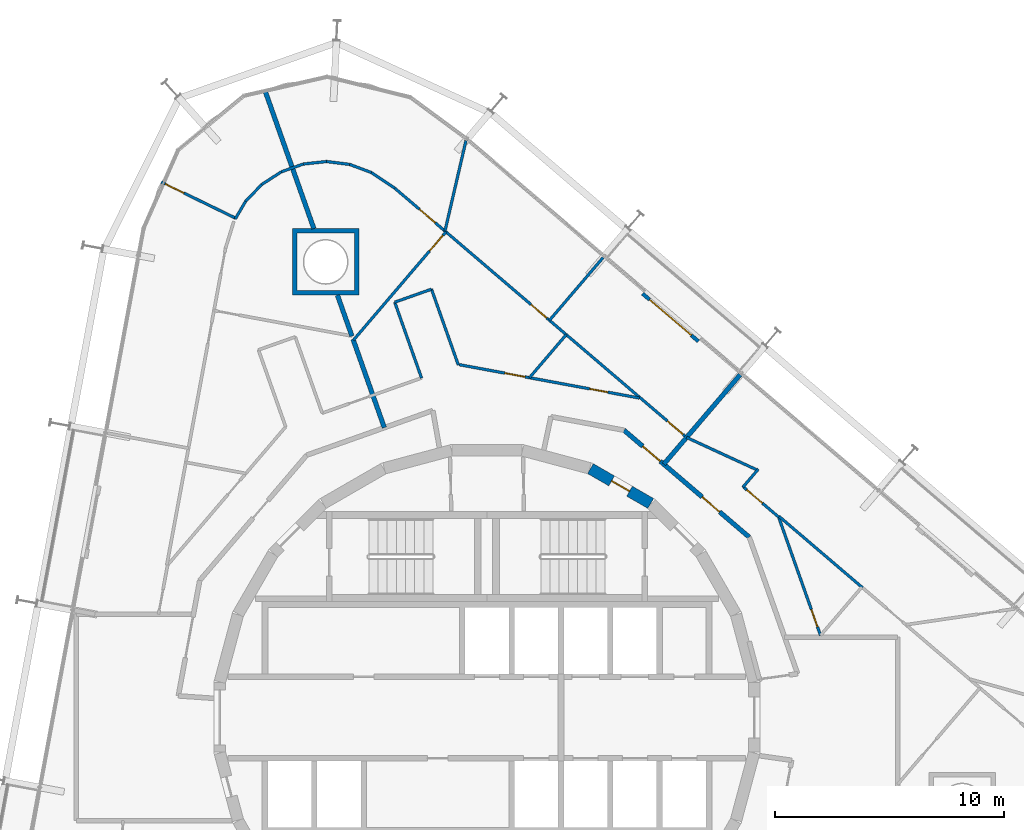
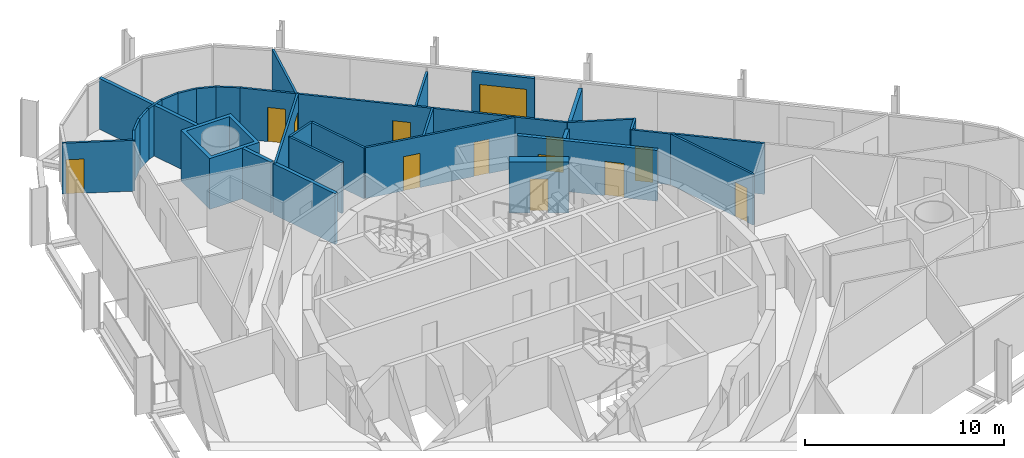
# One storey, part 15 of 17: 31 walls, 13 doors, 13 openings.
"""IFC4 building model written with IfcOpenShell, lengths in metres."""

import ifcopenshell
import ifcopenshell.guid

model = None  # the IFC model being written
_history = None  # IfcOwnerHistory: only IFC2X3 demands one
_inside = {}  # id of a spatial element -> (the spatial element, [elements in it])
_under = {}  # id of a project, library or spatial element -> (it, [spatial elements below it])
_declared = {}  # id of a project -> (the project, [libraries it declares])
_typed = {}  # id of a type object -> (the type object, [elements of that type])
_made_of = {}  # id of a material, layer set ... -> (it, [elements and type objects made of it])


def new_model(schema):
    """Start an empty IFC model of exactly this schema.

    Asked for "IFC4X3", IfcOpenShell would pick the latest addendum, in which some entities
    have other attributes; the version numbers below select the first issue.
    IFC2X3 requires an IfcOwnerHistory on every rooted entity: one is made here for all.
    """
    global model, _history
    if schema == "IFC4X3":
        model = ifcopenshell.file(schema_version=(4, 3, 0, 0))
    else:
        model = ifcopenshell.file(schema=schema)
    _inside.clear()
    _under.clear()
    _declared.clear()
    _typed.clear()
    _made_of.clear()
    _history = None
    if model.schema == "IFC2X3":
        org = make("IfcOrganization", Name="unknown")
        user = make(
            "IfcPersonAndOrganization",
            ThePerson=make("IfcPerson", FamilyName="unknown"),
            TheOrganization=org,
        )
        app = make(
            "IfcApplication",
            ApplicationDeveloper=org,
            Version="unknown",
            ApplicationFullName="unknown",
            ApplicationIdentifier="unknown",
        )
        _history = make(
            "IfcOwnerHistory",
            OwningUser=user,
            OwningApplication=app,
            ChangeAction="ADDED",
            CreationDate=0,
        )
    return model


def make(cls, **values):
    """One entity of the class cls with the attributes given. An attribute that is None is left unset."""
    return model.create_entity(
        cls, **{name: value for name, value in values.items() if value is not None}
    )


def rooted(cls, **values):
    """An entity with a GlobalId (a new one), such as an element, a storey or a relation."""
    return make(cls, GlobalId=ifcopenshell.guid.new(), OwnerHistory=_history, **values)


def si_unit(unit_type, name, prefix=None):
    """IfcSIUnit, for example si_unit("LENGTHUNIT", "METRE", prefix="MILLI")."""
    return make("IfcSIUnit", UnitType=unit_type, Prefix=prefix, Name=name)


def assignment(units):
    """IfcUnitAssignment: the units of a project."""
    return None if units is None else make("IfcUnitAssignment", Units=units)


def point(xyz):
    """IfcCartesianPoint."""
    return None if xyz is None else make("IfcCartesianPoint", Coordinates=xyz)


def direction(xyz):
    """IfcDirection."""
    return None if xyz is None else make("IfcDirection", DirectionRatios=xyz)


def frame(location, z_axis=None, x_axis=None):
    """IfcAxis2Placement3D, a coordinate frame: its origin and axes. An axis left out is left unset."""
    return make(
        "IfcAxis2Placement3D",
        Location=point(location),
        Axis=direction(z_axis),
        RefDirection=direction(x_axis),
    )


def frame_2d(location, x_axis=None):
    """IfcAxis2Placement2D, a coordinate frame in the plane: its origin and x axis."""
    return make(
        "IfcAxis2Placement2D", Location=point(location), RefDirection=direction(x_axis)
    )


def origin():
    """The frame at (0, 0, 0) with its axes left unset."""
    return frame((0.0, 0.0, 0.0))


def place(relative_to, where):
    """IfcLocalPlacement: puts the frame where relative to a parent placement (None: the world)."""
    return make(
        "IfcLocalPlacement", PlacementRelTo=relative_to, RelativePlacement=where
    )


def context(
    kind, dimensions, precision=None, world=None, true_north=None, identifier=None
):
    """IfcGeometricRepresentationContext, for example the 3D "Model" context."""
    return make(
        "IfcGeometricRepresentationContext",
        ContextIdentifier=identifier,
        ContextType=kind,
        CoordinateSpaceDimension=dimensions,
        Precision=precision,
        WorldCoordinateSystem=world,
        TrueNorth=true_north,
    )


def subcontext(parent, identifier, kind, view, scale=None):
    """IfcGeometricRepresentationSubContext, for example "Body" below "Model"."""
    return make(
        "IfcGeometricRepresentationSubContext",
        ContextIdentifier=identifier,
        ContextType=kind,
        ParentContext=parent,
        TargetScale=scale,
        TargetView=view,
    )


def project(units=None, contexts=None):
    """IfcProject with its units and contexts."""
    return rooted(
        "IfcProject",
        Name="project",
        RepresentationContexts=contexts,
        UnitsInContext=assignment(units),
    )


def spatial(cls, under=None, at=None, **own):
    """A site, building, storey or space (cls), placed at a placement, below another one or the project."""
    s = rooted(cls, ObjectPlacement=at, **own)
    if under is not None:
        _under.setdefault(under.id(), (under, []))[1].append(s)
    return s


def polyline(points):
    """IfcPolyline through the points."""
    return make("IfcPolyline", Points=[point(p) for p in points])


def profile(cls, at=None, kind="AREA", **sizes):
    """A parametric profile (cls). Its sizes go by their IFC names, for example OverallWidth=200.0."""
    return make(cls, ProfileType=kind, Position=at, **sizes)


def rectangle(**sizes):
    """IfcRectangleProfileDef."""
    return profile("IfcRectangleProfileDef", **sizes)


def outline(outer, holes=None, kind="AREA"):
    """IfcArbitraryClosedProfileDef: a profile drawn as a closed curve; with holes, ...WithVoids."""
    if holes is None:
        return make("IfcArbitraryClosedProfileDef", ProfileType=kind, OuterCurve=outer)
    return make(
        "IfcArbitraryProfileDefWithVoids",
        ProfileType=kind,
        OuterCurve=outer,
        InnerCurves=holes,
    )


def extrude(swept, where, along, depth):
    """IfcExtrudedAreaSolid: the profile swept, set in the frame where, extruded along a direction by depth."""
    return make(
        "IfcExtrudedAreaSolid",
        SweptArea=swept,
        Position=where,
        ExtrudedDirection=direction(along),
        Depth=depth,
    )


def shape(context_of_items, identifier, shape_type, items):
    """IfcShapeRepresentation: the items that make up one representation, for example the "Body"."""
    return make(
        "IfcShapeRepresentation",
        ContextOfItems=context_of_items,
        RepresentationIdentifier=identifier,
        RepresentationType=shape_type,
        Items=items,
    )


def material(Name=None, Category=None):
    """IfcMaterial."""
    return make("IfcMaterial", Name=Name, Category=Category)


def layer(
    of_material, thickness, ventilated=None, Name=None, Category=None, Priority=None
):
    """IfcMaterialLayer: one layer of a wall or slab, of a material (None: an air gap)."""
    return make(
        "IfcMaterialLayer",
        Material=of_material,
        LayerThickness=thickness,
        IsVentilated=ventilated,
        Name=Name,
        Category=Category,
        Priority=Priority,
    )


def layer_set(layers, Name=None):
    """IfcMaterialLayerSet."""
    return make("IfcMaterialLayerSet", MaterialLayers=layers, LayerSetName=Name)


def made_of(thing, what):
    """Note that an element or type object is made of a material, layer set ...; save() writes the relation."""
    if what is not None:
        _made_of.setdefault(what.id(), (what, []))[1].append(thing)
    return thing


def type_object(cls, material=None, **own):
    """A type object (cls), such as IfcWallType, which elements share."""
    return made_of(rooted(cls, **own), material)


def element(
    cls,
    number,
    at=None,
    inside=None,
    cuts=None,
    type_object=None,
    material=None,
    context=None,
    identifier="Body",
    shape_type=None,
    held_by="IfcProductDefinitionShape",
    body=None,
    shapes=None,
    **own,
):
    """One element of the class cls, such as IfcWall. Its Tag is "e" and its number.

    at: its placement. inside: the storey or other place that contains it. cuts: it is an
    opening in that element (IfcRelVoidsElement). A single representation is given by context,
    identifier, shape_type and body (its items); several are given by shapes. held_by: the class
    of the entity that holds the representations. save() writes the other relations.
    """
    e = rooted(cls, Tag="e%d" % number, ObjectPlacement=at, **own)
    if body is not None:
        shapes = [shape(context, identifier, shape_type, body)]
    if shapes is not None:
        e.Representation = make(held_by, Representations=shapes)
    if inside is not None:
        _inside.setdefault(inside.id(), (inside, []))[1].append(e)
    if cuts is not None:
        rooted(
            "IfcRelVoidsElement", RelatingBuildingElement=cuts, RelatedOpeningElement=e
        )
    if type_object is not None:
        _typed.setdefault(type_object.id(), (type_object, []))[1].append(e)
    return made_of(e, material)


def fill(opening, filler):
    """IfcRelFillsElement: the door or window that sits in an opening."""
    return rooted(
        "IfcRelFillsElement",
        RelatingOpeningElement=opening,
        RelatedBuildingElement=filler,
    )


def aggregate(whole, parts):
    """IfcRelAggregates: a whole, such as a stair, and the parts it consists of."""
    return rooted("IfcRelAggregates", RelatingObject=whole, RelatedObjects=parts)


def save(model, path):
    """Write the relations noted so far, then the file.

    IfcRelAggregates (storeys below a building ...), IfcRelContainedInSpatialStructure (elements
    in a storey), IfcRelDefinesByType, IfcRelAssociatesMaterial and IfcRelDeclares: one each for
    every whole, place, type object, material and project.
    """
    for whole, parts in _under.values():
        aggregate(whole, parts)
    for where, things in _inside.values():
        rooted(
            "IfcRelContainedInSpatialStructure",
            RelatedElements=things,
            RelatingStructure=where,
        )
    for kind, things in _typed.values():
        rooted("IfcRelDefinesByType", RelatedObjects=things, RelatingType=kind)
    for what, things in _made_of.values():
        rooted("IfcRelAssociatesMaterial", RelatedObjects=things, RelatingMaterial=what)
    for by, libraries in _declared.values():
        rooted("IfcRelDeclares", RelatingContext=by, RelatedDefinitions=libraries)
    model.write(path)


model = new_model("IFC4")

# Units and contexts
model_context = context("Model", 3, precision=1e-05, world=origin(), true_north=direction((0.0, 1.0)))
body_context = subcontext(model_context, "Body", "Model", "MODEL_VIEW")
ifc_project = project(units=[si_unit("LENGTHUNIT", "METRE"), si_unit("AREAUNIT", "SQUARE_METRE"), si_unit("VOLUMEUNIT", "CUBIC_METRE"), si_unit("PLANEANGLEUNIT", "RADIAN"), si_unit("MASSUNIT", "GRAM", prefix="KILO")], contexts=[model_context])

# Site, building, storey
site_placement = place(None, origin())
site = spatial("IfcSite", under=ifc_project, at=site_placement, CompositionType="ELEMENT")
building_placement = place(site_placement, origin())
building = spatial("IfcBuilding", under=site, at=building_placement, Name="Spindle Arch Residences", CompositionType="ELEMENT")
storey_placement = place(building_placement, frame((0.0, 0.0, 176.199951171875)))
storey = spatial("IfcBuildingStorey", under=building, at=storey_placement, Name="L44", CompositionType="ELEMENT", Elevation=176.199951171875)

# Wall, opening, door
ifc_material_1 = material(Name="Concrete C50/60", Category="concrete")
ifc_layer_1 = layer(ifc_material_1, 0.5)
ifc_layer_set_1 = layer_set([ifc_layer_1], Name="Core outline wall 500")
wall_type_1 = type_object("IfcWallType", Name="Core outline wall 500", PredefinedType="SHEAR", material=ifc_layer_set_1)
wall_1_placement = place(storey_placement, frame((7.13671875, 9.32861328125, 0.0), z_axis=(0.0, 0.0, 1.0), x_axis=(-0.865975092491, 0.500087131594, 0.0)))
wall_1 = element("IfcWall", 1, at=wall_1_placement, inside=storey, type_object=wall_type_1, Name="Core outline wall 10", PredefinedType="SHEAR", context=body_context, shape_type="SweptSolid", body=[
    extrude(rectangle(XDim=3.03271484375, YDim=0.5, at=frame_2d((1.516357421875, 0.0))), origin(), (0.0, 0.0, 1.0), 3.1201171875),
])
opening_1_placement = place(wall_1_placement, frame((1.06640625, 0.0, 0.0)))
opening_1 = element("IfcOpeningElement", 2, at=opening_1_placement, cuts=wall_1, Name="Opening R4C1-WD09", PredefinedType="OPENING", context=body_context, shape_type="SweptSolid", body=[
    extrude(rectangle(XDim=0.89990234375, YDim=2.10009765625, at=frame_2d((0.449951171875, 1.050048828125))), frame((0.0, 0.260009765625, 0.0), z_axis=(0.0, -1.0, 0.0), x_axis=(1.0, 0.0, 0.0)), (0.0, 0.0, 1.0), 0.52001953125),
])
ifc_material_2 = material(Name="Steel, fire-resisting door", Category="steel")
door_type_1 = type_object("IfcDoorType", Name="Service room door 900x2100", OperationType="SINGLE_SWING_LEFT", PredefinedType="DOOR", material=ifc_material_2)
door_1_placement = place(opening_1_placement, origin())
door_1 = element("IfcDoor", 3, at=door_1_placement, inside=storey, type_object=door_type_1, Name="Service room door R4C1-WD09", OperationType="SINGLE_SWING_LEFT", OverallHeight=2.10009765625, OverallWidth=0.89990234375, PredefinedType="DOOR", context=body_context, shape_type="SweptSolid", body=[
    extrude(rectangle(XDim=0.89990234375, YDim=2.10009765625, at=frame_2d((0.449951171875, 1.050048828125))), frame((0.0, 0.02490234375, 0.0), z_axis=(0.0, -1.0, 0.0), x_axis=(1.0, 0.0, 0.0)), (0.0, 0.0, 1.0), 0.050048828125),
])
fill(opening_1, door_1)

# Wall, openings, doors
ifc_material_3 = material(Name="Calcium silicate block, plastered")
ifc_layer_2 = layer(ifc_material_3, 0.199951171875)
ifc_layer_set_2 = layer_set([ifc_layer_2], Name="Corridor wall 200")
wall_type_2 = type_object("IfcWallType", Name="Corridor wall 200", PredefinedType="STANDARD", material=ifc_layer_set_2)
wall_2_placement = place(storey_placement, frame((11.432861328125, 7.857666015625, 0.0), z_axis=(0.0, 0.0, 1.0), x_axis=(-0.760412154545, 0.649440801937, 0.0)))
wall_2 = element("IfcWall", 4, at=wall_2_placement, inside=storey, type_object=wall_type_2, Name="Corridor wall R4C1-W004", PredefinedType="STANDARD", context=body_context, shape_type="SweptSolid", body=[
    extrude(rectangle(XDim=7.180908203125, YDim=0.199951171875, at=frame_2d((3.59033203125, 0.0))), origin(), (0.0, 0.0, 1.0), 3.1201171875),
])
opening_2_placement = place(wall_2_placement, frame((1.699951171875, 0.0, 0.0)))
opening_2 = element("IfcOpeningElement", 5, at=opening_2_placement, cuts=wall_2, Name="Opening R4C1-FD01", PredefinedType="OPENING", context=body_context, shape_type="SweptSolid", body=[
    extrude(rectangle(XDim=1.0, YDim=2.10009765625, at=frame_2d((0.5, 1.050048828125))), frame((0.0, 0.10986328125, 0.0), z_axis=(0.0, -1.0, 0.0), x_axis=(1.0, 0.0, 0.0)), (0.0, 0.0, 1.0), 0.219970703125),
])
opening_3_placement = place(wall_2_placement, frame((5.1005859375, 0.0, 0.0)))
opening_3 = element("IfcOpeningElement", 6, at=opening_3_placement, cuts=wall_2, Name="Opening R4C1-FD02", PredefinedType="OPENING", context=body_context, shape_type="SweptSolid", body=[
    extrude(rectangle(XDim=1.0, YDim=2.10009765625, at=frame_2d((0.5, 1.050048828125))), frame((0.0, 0.10986328125, 0.0), z_axis=(0.0, -1.0, 0.0), x_axis=(1.0, 0.0, 0.0)), (0.0, 0.0, 1.0), 0.219970703125),
])
ifc_material_4 = material(Name="Timber, fire-resisting door set", Category="wood")
door_type_2 = type_object("IfcDoorType", Name="Flat entrance door 1000x2100", OperationType="NOTDEFINED", PredefinedType="DOOR", material=ifc_material_4)
door_2_placement = place(opening_2_placement, origin())
door_2 = element("IfcDoor", 7, at=door_2_placement, inside=storey, type_object=door_type_2, Name="Flat entrance door R4C1-FD01", OperationType="SINGLE_SWING_LEFT", OverallHeight=2.10009765625, OverallWidth=1.0, PredefinedType="DOOR", context=body_context, shape_type="SweptSolid", body=[
    extrude(rectangle(XDim=1.0, YDim=2.10009765625, at=frame_2d((0.5, 1.050048828125))), frame((0.0, 0.02490234375, 0.0), z_axis=(0.0, -1.0, 0.0), x_axis=(1.0, 0.0, 0.0)), (0.0, 0.0, 1.0), 0.050048828125),
])
fill(opening_2, door_2)
door_3_placement = place(opening_3_placement, origin())
door_3 = element("IfcDoor", 8, at=door_3_placement, inside=storey, type_object=door_type_2, Name="Flat entrance door R4C1-FD02", OperationType="SINGLE_SWING_RIGHT", OverallHeight=2.10009765625, OverallWidth=1.0, PredefinedType="DOOR", context=body_context, shape_type="SweptSolid", body=[
    extrude(rectangle(XDim=1.0, YDim=2.10009765625, at=frame_2d((0.5, 1.050048828125))), frame((0.0, 0.02490234375, 0.0), z_axis=(0.0, -1.0, 0.0), x_axis=(1.0, 0.0, 0.0)), (0.0, 0.0, 1.0), 0.050048828125),
])
fill(opening_3, door_3)

# Wall, opening, door
ifc_material_5 = material(Name="Plasterboard on steel studs", Category="steel")
ifc_layer_3 = layer(ifc_material_5, 0.1201171875)
ifc_layer_set_3 = layer_set([ifc_layer_3], Name="Flat partition 120")
wall_type_3 = type_object("IfcWallType", Name="Flat partition 120", PredefinedType="PARTITIONING", material=ifc_layer_set_3)
wall_3_placement = place(storey_placement, frame((14.540771484375, 3.57470703125, 0.0), z_axis=(0.0, 0.0, 1.0), x_axis=(-0.333799280318, 0.942644174893, 0.0)))
wall_3 = element("IfcWall", 9, at=wall_3_placement, inside=storey, type_object=wall_type_3, Name="Flat partition R4C1-W037", PredefinedType="PARTITIONING", context=body_context, shape_type="SweptSolid", body=[
    extrude(rectangle(XDim=5.476806640625, YDim=0.1201171875, at=frame_2d((2.73828125, 0.0))), origin(), (0.0, 0.0, 1.0), 3.1201171875),
])
opening_4_placement = place(wall_3_placement, frame((0.39990234375, 0.0, 0.0)))
opening_4 = element("IfcOpeningElement", 10, at=opening_4_placement, cuts=wall_3, Name="Opening R4C1-BD01", PredefinedType="OPENING", context=body_context, shape_type="SweptSolid", body=[
    extrude(rectangle(XDim=0.800048828125, YDim=2.10009765625, at=frame_2d((0.39990234375, 1.050048828125))), frame((0.0, 0.070068359375, 0.0), z_axis=(0.0, -1.0, 0.0), x_axis=(1.0, 0.0, 0.0)), (0.0, 0.0, 1.0), 0.14013671875),
])
ifc_material_6 = material(Name="Timber door set", Category="wood")
door_type_3 = type_object("IfcDoorType", Name="Bathroom door 800x2100", OperationType="NOTDEFINED", PredefinedType="DOOR", material=ifc_material_6)
door_4_placement = place(opening_4_placement, origin())
door_4 = element("IfcDoor", 11, at=door_4_placement, inside=storey, type_object=door_type_3, Name="Bathroom door R4C1-BD01", OperationType="SINGLE_SWING_LEFT", OverallHeight=2.10009765625, OverallWidth=0.800048828125, PredefinedType="DOOR", context=body_context, shape_type="SweptSolid", body=[
    extrude(rectangle(XDim=0.800048828125, YDim=2.10009765625, at=frame_2d((0.39990234375, 1.050048828125))), frame((0.0, 0.02490234375, 0.0), z_axis=(0.0, -1.0, 0.0), x_axis=(1.0, 0.0, 0.0)), (0.0, 0.0, 1.0), 0.050048828125),
])
fill(opening_4, door_4)

wall_4_placement = place(storey_placement, frame((12.712646484375, 8.7373046875, 0.0), z_axis=(0.0, 0.0, 1.0), x_axis=(-0.760410825807, 0.649442357716, 0.0)))
wall_4 = element("IfcWall", 12, at=wall_4_placement, inside=storey, type_object=wall_type_3, Name="Flat partition R4C1-W038", PredefinedType="PARTITIONING", context=body_context, shape_type="SweptSolid", body=[
    extrude(rectangle(XDim=2.028564453125, YDim=0.1201171875, at=frame_2d((1.01416015625, 0.0))), origin(), (0.0, 0.0, 1.0), 3.1201171875),
])
opening_5_placement = place(wall_4_placement, frame((0.9287109375, 0.0, 0.0)))
opening_5 = element("IfcOpeningElement", 13, at=opening_5_placement, cuts=wall_4, Name="Opening R4C1-ID01", PredefinedType="OPENING", context=body_context, shape_type="SweptSolid", body=[
    extrude(rectangle(XDim=0.89990234375, YDim=2.10009765625, at=frame_2d((0.449951171875, 1.050048828125))), frame((0.0, 0.070068359375, 0.0), z_axis=(0.0, -1.0, 0.0), x_axis=(1.0, 0.0, 0.0)), (0.0, 0.0, 1.0), 0.14013671875),
])
ifc_material_7 = material(Name="Timber door set", Category="wood")
door_type_4 = type_object("IfcDoorType", Name="Room door 900x2100", OperationType="NOTDEFINED", PredefinedType="DOOR", material=ifc_material_7)
door_5_placement = place(opening_5_placement, origin())
door_5 = element("IfcDoor", 14, at=door_5_placement, inside=storey, type_object=door_type_4, Name="Room door R4C1-ID01", OperationType="SINGLE_SWING_LEFT", OverallHeight=2.10009765625, OverallWidth=0.89990234375, PredefinedType="DOOR", context=body_context, shape_type="SweptSolid", body=[
    extrude(rectangle(XDim=0.89990234375, YDim=2.10009765625, at=frame_2d((0.449951171875, 1.050048828125))), frame((0.0, 0.02490234375, 0.0), z_axis=(0.0, -1.0, 0.0), x_axis=(1.0, 0.0, 0.0)), (0.0, 0.0, 1.0), 0.050048828125),
])
fill(opening_5, door_5)

# Walls
wall_5_placement = place(storey_placement, frame((12.734130859375, 8.76220703125, 0.0), z_axis=(0.0, 0.0, 1.0), x_axis=(0.760390484255, -0.649466174219, 0.0)))
element("IfcWall", 15, at=wall_5_placement, inside=storey, type_object=wall_type_3, Name="Flat partition R4C1-W039", PredefinedType="PARTITIONING", context=body_context, shape_type="SweptSolid", body=[
    extrude(rectangle(XDim=4.78271484375, YDim=0.1201171875, at=frame_2d((2.391357421875, 0.0))), origin(), (0.0, 0.0, 1.0), 3.1201171875),
])
wall_6_placement = place(storey_placement, frame((11.152587890625, 10.0341796875, 0.0), z_axis=(0.0, 0.0, 1.0), x_axis=(0.649381401329, 0.760462882466, 0.0)))
element("IfcWall", 16, at=wall_6_placement, inside=storey, type_object=wall_type_3, Name="Flat partition R4C1-W040", PredefinedType="PARTITIONING", context=body_context, shape_type="SweptSolid", body=[
    extrude(rectangle(XDim=1.041748046875, YDim=0.1201171875, at=frame_2d((0.52099609375, 0.0))), origin(), (0.0, 0.0, 1.0), 3.1201171875),
])
wall_7_placement = place(storey_placement, frame((11.790283203125, 10.78076171875, 0.0), z_axis=(0.0, 0.0, 1.0), x_axis=(-0.907999296286, 0.418971691101, 0.0)))
element("IfcWall", 17, at=wall_7_placement, inside=storey, type_object=wall_type_3, Name="Flat partition R4C1-W041", PredefinedType="PARTITIONING", context=body_context, shape_type="SweptSolid", body=[
    extrude(rectangle(XDim=3.4013671875, YDim=0.1201171875, at=frame_2d((1.70068359375, 0.0))), origin(), (0.0, 0.0, 1.0), 3.1201171875),
])

# Wall, openings, doors
wall_8_placement = place(storey_placement, frame((8.701904296875, 12.205810546875, 0.0), z_axis=(0.0, 0.0, 1.0), x_axis=(-0.760401313718, 0.649453494945, 0.0)))
wall_8 = element("IfcWall", 18, at=wall_8_placement, inside=storey, type_object=wall_type_3, Name="Flat partition R4C1-W052", PredefinedType="PARTITIONING", context=body_context, shape_type="SweptSolid", body=[
    extrude(rectangle(XDim=16.723876953125, YDim=0.1201171875, at=frame_2d((8.36181640625, 0.0))), origin(), (0.0, 0.0, 1.0), 3.1201171875),
])
opening_6_placement = place(wall_8_placement, frame((0.199951171875, 0.0, 0.0)))
opening_6 = element("IfcOpeningElement", 19, at=opening_6_placement, cuts=wall_8, Name="Opening R4C1-ID06", PredefinedType="OPENING", context=body_context, shape_type="SweptSolid", body=[
    extrude(rectangle(XDim=0.89990234375, YDim=2.10009765625, at=frame_2d((0.449951171875, 1.050048828125))), frame((0.0, 0.070068359375, 0.0), z_axis=(0.0, -1.0, 0.0), x_axis=(1.0, 0.0, 0.0)), (0.0, 0.0, 1.0), 0.14013671875),
])
opening_7_placement = place(wall_8_placement, frame((8.02001953125, 0.0, 0.0)))
opening_7 = element("IfcOpeningElement", 20, at=opening_7_placement, cuts=wall_8, Name="Opening R4C1-ID08", PredefinedType="OPENING", context=body_context, shape_type="SweptSolid", body=[
    extrude(rectangle(XDim=0.89990234375, YDim=2.10009765625, at=frame_2d((0.449951171875, 1.050048828125))), frame((0.0, 0.070068359375, 0.0), z_axis=(0.0, -1.0, 0.0), x_axis=(1.0, 0.0, 0.0)), (0.0, 0.0, 1.0), 0.14013671875),
])
opening_8_placement = place(wall_8_placement, frame((14.41162109375, 0.0, 0.0)))
opening_8 = element("IfcOpeningElement", 21, at=opening_8_placement, cuts=wall_8, Name="Opening R4C1-ID10", PredefinedType="OPENING", context=body_context, shape_type="SweptSolid", body=[
    extrude(rectangle(XDim=0.89990234375, YDim=2.10009765625, at=frame_2d((0.449951171875, 1.050048828125))), frame((0.0, 0.070068359375, 0.0), z_axis=(0.0, -1.0, 0.0), x_axis=(1.0, 0.0, 0.0)), (0.0, 0.0, 1.0), 0.14013671875),
])
door_6_placement = place(opening_6_placement, origin())
door_6 = element("IfcDoor", 22, at=door_6_placement, inside=storey, type_object=door_type_4, Name="Room door R4C1-ID06", OperationType="SINGLE_SWING_RIGHT", OverallHeight=2.10009765625, OverallWidth=0.89990234375, PredefinedType="DOOR", context=body_context, shape_type="SweptSolid", body=[
    extrude(rectangle(XDim=0.89990234375, YDim=2.10009765625, at=frame_2d((0.449951171875, 1.050048828125))), frame((0.0, 0.02490234375, 0.0), z_axis=(0.0, -1.0, 0.0), x_axis=(1.0, 0.0, 0.0)), (0.0, 0.0, 1.0), 0.050048828125),
])
fill(opening_6, door_6)
door_7_placement = place(opening_7_placement, origin())
door_7 = element("IfcDoor", 23, at=door_7_placement, inside=storey, type_object=door_type_4, Name="Room door R4C1-ID08", OperationType="SINGLE_SWING_RIGHT", OverallHeight=2.10009765625, OverallWidth=0.89990234375, PredefinedType="DOOR", context=body_context, shape_type="SweptSolid", body=[
    extrude(rectangle(XDim=0.89990234375, YDim=2.10009765625, at=frame_2d((0.449951171875, 1.050048828125))), frame((0.0, 0.02490234375, 0.0), z_axis=(0.0, -1.0, 0.0), x_axis=(1.0, 0.0, 0.0)), (0.0, 0.0, 1.0), 0.050048828125),
])
fill(opening_7, door_7)
door_8_placement = place(opening_8_placement, origin())
door_8 = element("IfcDoor", 24, at=door_8_placement, inside=storey, type_object=door_type_4, Name="Room door R4C1-ID10", OperationType="SINGLE_SWING_RIGHT", OverallHeight=2.10009765625, OverallWidth=0.89990234375, PredefinedType="DOOR", context=body_context, shape_type="SweptSolid", body=[
    extrude(rectangle(XDim=0.89990234375, YDim=2.10009765625, at=frame_2d((0.449951171875, 1.050048828125))), frame((0.0, 0.02490234375, 0.0), z_axis=(0.0, -1.0, 0.0), x_axis=(1.0, 0.0, 0.0)), (0.0, 0.0, 1.0), 0.050048828125),
])
fill(opening_8, door_8)

wall_9_placement = place(storey_placement, frame((6.640869140625, 13.9228515625, 0.0), z_axis=(0.0, 0.0, 1.0), x_axis=(-0.983250157272, 0.182261153912, 0.0)))
wall_9 = element("IfcWall", 25, at=wall_9_placement, inside=storey, type_object=wall_type_3, Name="Flat partition R4C1-W053", PredefinedType="PARTITIONING", context=body_context, shape_type="SweptSolid", body=[
    extrude(rectangle(XDim=7.98486328125, YDim=0.1201171875, at=frame_2d((3.992431640625, 0.0))), origin(), (0.0, 0.0, 1.0), 3.1201171875),
])
opening_9_placement = place(wall_9_placement, frame((1.39990234375, 0.0, 0.0)))
opening_9 = element("IfcOpeningElement", 26, at=opening_9_placement, cuts=wall_9, Name="Opening R4C1-BD02", PredefinedType="OPENING", context=body_context, shape_type="SweptSolid", body=[
    extrude(rectangle(XDim=0.800048828125, YDim=2.10009765625, at=frame_2d((0.39990234375, 1.050048828125))), frame((0.0, 0.070068359375, 0.0), z_axis=(0.0, -1.0, 0.0), x_axis=(1.0, 0.0, 0.0)), (0.0, 0.0, 1.0), 0.14013671875),
])
opening_10_placement = place(wall_9_placement, frame((5.06884765625, 0.0, 0.0)))
opening_10 = element("IfcOpeningElement", 27, at=opening_10_placement, cuts=wall_9, Name="Opening R4C1-ID07", PredefinedType="OPENING", context=body_context, shape_type="SweptSolid", body=[
    extrude(rectangle(XDim=0.89990234375, YDim=2.10009765625, at=frame_2d((0.449951171875, 1.050048828125))), frame((0.0, 0.070068359375, 0.0), z_axis=(0.0, -1.0, 0.0), x_axis=(1.0, 0.0, 0.0)), (0.0, 0.0, 1.0), 0.14013671875),
])
door_9_placement = place(opening_9_placement, origin())
door_9 = element("IfcDoor", 28, at=door_9_placement, inside=storey, type_object=door_type_3, Name="Bathroom door R4C1-BD02", OperationType="SINGLE_SWING_RIGHT", OverallHeight=2.10009765625, OverallWidth=0.800048828125, PredefinedType="DOOR", context=body_context, shape_type="SweptSolid", body=[
    extrude(rectangle(XDim=0.800048828125, YDim=2.10009765625, at=frame_2d((0.39990234375, 1.050048828125))), frame((0.0, 0.02490234375, 0.0), z_axis=(0.0, -1.0, 0.0), x_axis=(1.0, 0.0, 0.0)), (0.0, 0.0, 1.0), 0.050048828125),
])
fill(opening_9, door_9)
door_10_placement = place(opening_10_placement, origin())
door_10 = element("IfcDoor", 29, at=door_10_placement, inside=storey, type_object=door_type_4, Name="Room door R4C1-ID07", OperationType="SINGLE_SWING_RIGHT", OverallHeight=2.10009765625, OverallWidth=0.89990234375, PredefinedType="DOOR", context=body_context, shape_type="SweptSolid", body=[
    extrude(rectangle(XDim=0.89990234375, YDim=2.10009765625, at=frame_2d((0.449951171875, 1.050048828125))), frame((0.0, 0.02490234375, 0.0), z_axis=(0.0, -1.0, 0.0), x_axis=(1.0, 0.0, 0.0)), (0.0, 0.0, 1.0), 0.050048828125),
])
fill(opening_10, door_10)

# Walls
wall_10_placement = place(storey_placement, frame((-1.2490234375, 15.3642578125, 0.0), z_axis=(0.0, 0.0, 1.0), x_axis=(-0.333811035895, 0.942640012048, 0.0)))
element("IfcWall", 30, at=wall_10_placement, inside=storey, type_object=wall_type_3, Name="Flat partition R4C1-W054", PredefinedType="PARTITIONING", context=body_context, shape_type="SweptSolid", body=[
    extrude(rectangle(XDim=3.504638671875, YDim=0.1201171875, at=frame_2d((1.75244140625, 0.0))), origin(), (0.0, 0.0, 1.0), 3.1201171875),
])
wall_11_placement = place(storey_placement, frame((-2.4189453125, 18.66796875, 0.0), z_axis=(0.0, 0.0, 1.0), x_axis=(-0.942661115325, -0.333751436931, 0.0)))
element("IfcWall", 31, at=wall_11_placement, inside=storey, type_object=wall_type_3, Name="Flat partition R4C1-W055", PredefinedType="PARTITIONING", context=body_context, shape_type="SweptSolid", body=[
    extrude(rectangle(XDim=1.699951171875, YDim=0.1201171875, at=frame_2d((0.85009765625, 0.0))), origin(), (0.0, 0.0, 1.0), 3.1201171875),
])
wall_12_placement = place(storey_placement, frame((-4.021484375, 18.1005859375, 0.0), z_axis=(0.0, 0.0, 1.0), x_axis=(0.333811035895, -0.942640012048, 0.0)))
element("IfcWall", 32, at=wall_12_placement, inside=storey, type_object=wall_type_3, Name="Flat partition R4C1-W056", PredefinedType="PARTITIONING", context=body_context, shape_type="SweptSolid", body=[
    extrude(rectangle(XDim=3.504638671875, YDim=0.1201171875, at=frame_2d((1.75244140625, 0.0))), origin(), (0.0, 0.0, 1.0), 3.1201171875),
])
wall_13_placement = place(storey_placement, frame((3.455810546875, 16.686279296875, 0.0), z_axis=(0.0, 0.0, 1.0), x_axis=(-0.649462010463, -0.760394040591, 0.0)))
element("IfcWall", 33, at=wall_13_placement, inside=storey, type_object=wall_type_3, Name="Flat partition R4C1-W059", PredefinedType="PARTITIONING", context=body_context, shape_type="SweptSolid", body=[
    extrude(rectangle(XDim=2.467041015625, YDim=0.1201171875, at=frame_2d((1.2333984375, 0.0))), origin(), (0.0, 0.0, 1.0), 3.1201171875),
])
wall_14_placement = place(storey_placement, frame((-0.913818359375, 25.152587890625, 0.0), z_axis=(0.0, 0.0, 1.0), x_axis=(-0.226085850586, -0.974107380202, 0.0)))
element("IfcWall", 34, at=wall_14_placement, inside=storey, type_object=wall_type_3, Name="Flat partition R4C1-W060", PredefinedType="PARTITIONING", context=body_context, shape_type="SweptSolid", body=[
    extrude(rectangle(XDim=4.055908203125, YDim=0.1201171875, at=frame_2d((2.02783203125, 0.0))), origin(), (0.0, 0.0, 1.0), 3.1201171875),
])

# Wall, opening, door
wall_15_placement = place(storey_placement, frame((-1.790283203125, 21.1669921875, 0.0), z_axis=(0.0, 0.0, 1.0), x_axis=(-0.649456490412, -0.7603987553, 0.0)))
wall_15 = element("IfcWall", 35, at=wall_15_placement, inside=storey, type_object=wall_type_3, Name="Flat partition R4C1-W061", PredefinedType="PARTITIONING", context=body_context, shape_type="SweptSolid", body=[
    extrude(rectangle(XDim=6.210205078125, YDim=0.1201171875, at=frame_2d((3.10498046875, 0.0))), origin(), (0.0, 0.0, 1.0), 3.1201171875),
])
opening_11_placement = place(wall_15_placement, frame((0.199951171875, 0.0, 0.0)))
opening_11 = element("IfcOpeningElement", 36, at=opening_11_placement, cuts=wall_15, Name="Opening R4C1-ID09", PredefinedType="OPENING", context=body_context, shape_type="SweptSolid", body=[
    extrude(rectangle(XDim=0.89990234375, YDim=2.10009765625, at=frame_2d((0.449951171875, 1.050048828125))), frame((0.0, 0.070068359375, 0.0), z_axis=(0.0, -1.0, 0.0), x_axis=(1.0, 0.0, 0.0)), (0.0, 0.0, 1.0), 0.14013671875),
])
door_11_placement = place(opening_11_placement, origin())
door_11 = element("IfcDoor", 37, at=door_11_placement, inside=storey, type_object=door_type_4, Name="Room door R4C1-ID09", OperationType="SINGLE_SWING_RIGHT", OverallHeight=2.10009765625, OverallWidth=0.89990234375, PredefinedType="DOOR", context=body_context, shape_type="SweptSolid", body=[
    extrude(rectangle(XDim=0.89990234375, YDim=2.10009765625, at=frame_2d((0.449951171875, 1.050048828125))), frame((0.0, 0.02490234375, 0.0), z_axis=(0.0, -1.0, 0.0), x_axis=(1.0, 0.0, 0.0)), (0.0, 0.0, 1.0), 0.050048828125),
])
fill(opening_11, door_11)

# Walls
wall_16_placement = place(storey_placement, frame((-8.96142578125, 23.78466796875, 0.0), z_axis=(0.0, 0.0, 1.0), x_axis=(0.942630376568, 0.333838244022, 0.0)))
element("IfcWall", 38, at=wall_16_placement, inside=storey, type_object=wall_type_3, Name="Flat partition R4C1-W062", PredefinedType="PARTITIONING", context=body_context, shape_type="SweptSolid", body=[
    extrude(rectangle(XDim=1.015869140625, YDim=0.1201171875, at=frame_2d((0.5078125, 0.0))), origin(), (0.0, 0.0, 1.0), 3.1201171875),
])
wall_17_placement = place(storey_placement, frame((-8.00390625, 24.123779296875, 0.0), z_axis=(0.0, 0.0, 1.0), x_axis=(0.994216064839, 0.107398400431, 0.0)))
element("IfcWall", 39, at=wall_17_placement, inside=storey, type_object=wall_type_3, Name="Flat partition R4C1-W063", PredefinedType="PARTITIONING", context=body_context, shape_type="SweptSolid", body=[
    extrude(rectangle(XDim=1.01611328125, YDim=0.1201171875, at=frame_2d((0.508056640625, 0.0))), origin(), (0.0, 0.0, 1.0), 3.1201171875),
])
wall_18_placement = place(storey_placement, frame((-6.99365234375, 24.23291015625, 0.0), z_axis=(0.0, 0.0, 1.0), x_axis=(0.992188875952, -0.124744676991, 0.0)))
element("IfcWall", 40, at=wall_18_placement, inside=storey, type_object=wall_type_3, Name="Flat partition R4C1-W064", PredefinedType="PARTITIONING", context=body_context, shape_type="SweptSolid", body=[
    extrude(rectangle(XDim=1.015625, YDim=0.1201171875, at=frame_2d((0.5078125, 0.0))), origin(), (0.0, 0.0, 1.0), 3.1201171875),
])
wall_19_placement = place(storey_placement, frame((-5.98583984375, 24.106201171875, 0.0), z_axis=(0.0, 0.0, 1.0), x_axis=(0.936625084254, -0.350333343469, 0.0)))
element("IfcWall", 41, at=wall_19_placement, inside=storey, type_object=wall_type_3, Name="Flat partition R4C1-W065", PredefinedType="PARTITIONING", context=body_context, shape_type="SweptSolid", body=[
    extrude(rectangle(XDim=1.01611328125, YDim=0.1201171875, at=frame_2d((0.508056640625, 0.0))), origin(), (0.0, 0.0, 1.0), 3.1201171875),
])
wall_20_placement = place(storey_placement, frame((-5.0341796875, 23.750244140625, 0.0), z_axis=(0.0, 0.0, 1.0), x_axis=(0.83070096574, -0.556718874764, 0.0)))
element("IfcWall", 42, at=wall_20_placement, inside=storey, type_object=wall_type_3, Name="Flat partition R4C1-W066", PredefinedType="PARTITIONING", context=body_context, shape_type="SweptSolid", body=[
    extrude(rectangle(XDim=1.22705078125, YDim=0.1201171875, at=frame_2d((0.613525390625, 0.0))), origin(), (0.0, 0.0, 1.0), 3.1201171875),
])
wall_21_placement = place(storey_placement, frame((-10.973876953125, 21.728271484375, 0.0), z_axis=(0.0, 0.0, 1.0), x_axis=(0.507353148194, 0.861738233466, 0.0)))
element("IfcWall", 43, at=wall_21_placement, inside=storey, type_object=wall_type_3, Name="Flat partition R4C1-W073", PredefinedType="PARTITIONING", context=body_context, shape_type="SweptSolid", body=[
    extrude(rectangle(XDim=0.89697265625, YDim=0.1201171875, at=frame_2d((0.448486328125, 0.0))), origin(), (0.0, 0.0, 1.0), 3.1201171875),
])
wall_22_placement = place(storey_placement, frame((-10.518798828125, 22.501220703125, 0.0), z_axis=(0.0, 0.0, 1.0), x_axis=(0.69266189308, 0.721262436201, 0.0)))
element("IfcWall", 44, at=wall_22_placement, inside=storey, type_object=wall_type_3, Name="Flat partition R4C1-W074", PredefinedType="PARTITIONING", context=body_context, shape_type="SweptSolid", body=[
    extrude(rectangle(XDim=1.015869140625, YDim=0.1201171875, at=frame_2d((0.5078125, 0.0))), origin(), (0.0, 0.0, 1.0), 3.1201171875),
])
wall_23_placement = place(storey_placement, frame((-9.815185546875, 23.23388671875, 0.0), z_axis=(0.0, 0.0, 1.0), x_axis=(0.840310772539, 0.542104976508, 0.0)))
element("IfcWall", 45, at=wall_23_placement, inside=storey, type_object=wall_type_3, Name="Flat partition R4C1-W075", PredefinedType="PARTITIONING", context=body_context, shape_type="SweptSolid", body=[
    extrude(rectangle(XDim=1.01611328125, YDim=0.1201171875, at=frame_2d((0.508056640625, 0.0))), origin(), (0.0, 0.0, 1.0), 3.1201171875),
])

# Wall, opening, door
wall_24_placement = place(storey_placement, frame((-14.201904296875, 23.3408203125, 0.0), z_axis=(0.0, 0.0, 1.0), x_axis=(0.899466404534, -0.436989916491, 0.0)))
wall_24 = element("IfcWall", 46, at=wall_24_placement, inside=storey, type_object=wall_type_3, Name="Flat partition R4C1-W076", PredefinedType="PARTITIONING", context=body_context, shape_type="SweptSolid", body=[
    extrude(rectangle(XDim=3.611328125, YDim=0.1201171875, at=frame_2d((1.8056640625, 0.0))), origin(), (0.0, 0.0, 1.0), 3.1201171875),
])
opening_12_placement = place(wall_24_placement, frame((0.199951171875, 0.0, 0.0)))
opening_12 = element("IfcOpeningElement", 47, at=opening_12_placement, cuts=wall_24, Name="Opening R4C1-ID15", PredefinedType="OPENING", context=body_context, shape_type="SweptSolid", body=[
    extrude(rectangle(XDim=0.89990234375, YDim=2.10009765625, at=frame_2d((0.449951171875, 1.050048828125))), frame((0.0, 0.070068359375, 0.0), z_axis=(0.0, -1.0, 0.0), x_axis=(1.0, 0.0, 0.0)), (0.0, 0.0, 1.0), 0.14013671875),
])
door_12_placement = place(opening_12_placement, origin())
door_12 = element("IfcDoor", 48, at=door_12_placement, inside=storey, type_object=door_type_4, Name="Room door R4C1-ID15", OperationType="SINGLE_SWING_LEFT", OverallHeight=2.10009765625, OverallWidth=0.89990234375, PredefinedType="DOOR", context=body_context, shape_type="SweptSolid", body=[
    extrude(rectangle(XDim=0.89990234375, YDim=2.10009765625, at=frame_2d((0.449951171875, 1.050048828125))), frame((0.0, 0.02490234375, 0.0), z_axis=(0.0, -1.0, 0.0), x_axis=(1.0, 0.0, 0.0)), (0.0, 0.0, 1.0), 0.050048828125),
])
fill(opening_12, door_12)

# Walls
ifc_material_8 = material(Name="Plasterboard on steel studs", Category="steel")
ifc_layer_4 = layer(ifc_material_8, 0.1201171875)
ifc_layer_set_4 = layer_set([ifc_layer_4], Name="Flat partition 120 under beam 2730")
wall_type_4 = type_object("IfcWallType", Name="Flat partition 120 under beam 2730", PredefinedType="PARTITIONING", material=ifc_layer_set_4)
wall_25_placement = place(storey_placement, frame((5.063232421875, 20.048095703125, 0.0), z_axis=(0.0, 0.0, 1.0), x_axis=(-0.649455626815, -0.760399492897, 0.0)))
element("IfcWall", 49, at=wall_25_placement, inside=storey, type_object=wall_type_4, Name="Flat partition R4C1-W058", PredefinedType="PARTITIONING", context=body_context, shape_type="SweptSolid", body=[
    extrude(rectangle(XDim=3.60009765625, YDim=0.1201171875, at=frame_2d((1.800048828125, 0.0))), origin(), (0.0, 0.0, 1.0), 2.72998046875),
])
ifc_material_9 = material(Name="Calcium silicate block, plastered")
ifc_layer_5 = layer(ifc_material_9, 0.199951171875)
ifc_layer_set_5 = layer_set([ifc_layer_5], Name="Flat party wall 200")
wall_type_5 = type_object("IfcWallType", Name="Flat party wall 200", PredefinedType="STANDARD", material=ifc_layer_set_5)
wall_26_placement = place(storey_placement, frame((-5.8388671875, 16.48828125, 0.0), z_axis=(0.0, 0.0, 1.0), x_axis=(0.333840515054, -0.942629572265, 0.0)))
element("IfcWall", 50, at=wall_26_placement, inside=storey, type_object=wall_type_5, Name="Flat party wall R4C1-W029", PredefinedType="STANDARD", context=body_context, shape_type="SweptSolid", body=[
    extrude(rectangle(XDim=4.091552734375, YDim=0.199951171875, at=frame_2d((2.0458984375, 0.0))), origin(), (0.0, 0.0, 1.0), 3.1201171875),
])
wall_27_placement = place(storey_placement, frame((-9.684326171875, 27.34765625, 0.0), z_axis=(0.0, 0.0, 1.0), x_axis=(0.333810465454, -0.942640214055, 0.0)))
element("IfcWall", 51, at=wall_27_placement, inside=storey, type_object=wall_type_5, Name="Flat party wall R4C1-W030", PredefinedType="STANDARD", context=body_context, shape_type="SweptSolid", body=[
    extrude(rectangle(XDim=6.407470703125, YDim=0.199951171875, at=frame_2d((3.20361328125, 0.0))), origin(), (0.0, 0.0, 1.0), 3.1201171875),
])
wall_28_placement = place(storey_placement, frame((-6.518310546875, 18.40771484375, 0.0), z_axis=(0.0, 0.0, 1.0), x_axis=(0.333725210903, -0.942670400303, 0.0)))
element("IfcWall", 52, at=wall_28_placement, inside=storey, type_object=wall_type_5, Name="Flat party wall R4C1-W031", PredefinedType="STANDARD", context=body_context, shape_type="SweptSolid", body=[
    extrude(rectangle(XDim=1.890380859375, YDim=0.199951171875, at=frame_2d((0.9453125, 0.0))), origin(), (0.0, 0.0, 1.0), 3.1201171875),
])
ifc_material_10 = material(Name="Calcium silicate block, plastered")
ifc_layer_6 = layer(ifc_material_10, 0.199951171875)
ifc_layer_set_6 = layer_set([ifc_layer_6], Name="Flat party wall 200 under beam 2730")
wall_type_6 = type_object("IfcWallType", Name="Flat party wall 200 under beam 2730", PredefinedType="STANDARD", material=ifc_layer_set_6)
wall_29_placement = place(storey_placement, frame((11.0400390625, 14.943359375, 0.0), z_axis=(0.0, 0.0, 1.0), x_axis=(-0.649442880087, -0.760410379666, 0.0)))
element("IfcWall", 53, at=wall_29_placement, inside=storey, type_object=wall_type_6, Name="Flat party wall R4C1-W026", PredefinedType="STANDARD", context=body_context, shape_type="SweptSolid", body=[
    extrude(rectangle(XDim=5.1328125, YDim=0.199951171875, at=frame_2d((2.56640625, 0.0))), origin(), (0.0, 0.0, 1.0), 2.72998046875),
])

# Wall, opening, door
ifc_material_11 = material(Name="Non-combustible mineral wool insulated aluminium faced external wall (K0)", Category="aluminium")
ifc_layer_7 = layer(ifc_material_11, 0.159912109375)
ifc_layer_set_7 = layer_set([ifc_layer_7], Name="Insulated external wall panel 160")
wall_type_7 = type_object("IfcWallType", Name="Insulated external wall panel 160", PredefinedType="STANDARD", material=ifc_layer_set_7)
wall_30_placement = place(storey_placement, frame((9.21630859375, 16.395751953125, 0.0), z_axis=(0.0, 0.0, 1.0), x_axis=(-0.760429407868, 0.649420599957, 0.0)))
wall_30 = element("IfcWall", 54, at=wall_30_placement, inside=storey, type_object=wall_type_7, Name="External wall L44 bay 8", PredefinedType="STANDARD", context=body_context, shape_type="SweptSolid", body=[
    extrude(rectangle(XDim=3.199951171875, YDim=0.159912109375, at=frame_2d((1.60009765625, 0.0))), origin(), (0.0, 0.0, 1.0), 3.1201171875),
])
opening_13_placement = place(wall_30_placement, frame((0.39990234375, 0.0, 0.0)))
opening_13 = element("IfcOpeningElement", 55, at=opening_13_placement, cuts=wall_30, Name="Opening BD08", PredefinedType="OPENING", context=body_context, shape_type="SweptSolid", body=[
    extrude(rectangle(XDim=2.39990234375, YDim=2.39990234375, at=frame_2d((1.199951171875, 1.199951171875))), frame((0.0, 0.08984375, 0.0), z_axis=(0.0, -1.0, 0.0), x_axis=(1.0, 0.0, 0.0)), (0.0, 0.0, 1.0), 0.179931640625),
])
ifc_material_12 = material(Name="Bronze aluminium frame, tinted double glazing", Category="aluminium")
door_type_5 = type_object("IfcDoorType", Name="Sliding glazed balcony door 2400x2400", OperationType="DOUBLE_DOOR_SLIDING", PredefinedType="DOOR", material=ifc_material_12)
door_13_placement = place(opening_13_placement, origin())
door_13 = element("IfcDoor", 56, at=door_13_placement, inside=storey, type_object=door_type_5, Name="Balcony door BD08", OperationType="DOUBLE_DOOR_SLIDING", OverallHeight=2.39990234375, OverallWidth=2.39990234375, PredefinedType="DOOR", context=body_context, shape_type="SweptSolid", body=[
    extrude(rectangle(XDim=2.39990234375, YDim=2.39990234375, at=frame_2d((1.199951171875, 1.199951171875))), frame((0.0, 0.02490234375, 0.0), z_axis=(0.0, -1.0, 0.0), x_axis=(1.0, 0.0, 0.0)), (0.0, 0.0, 1.0), 0.050048828125),
])
fill(opening_13, door_13)

# Wall
ifc_material_13 = material(Name="Calcium silicate block, plastered")
ifc_layer_8 = layer(ifc_material_13, 0.199951171875)
ifc_layer_set_8 = layer_set([ifc_layer_8], Name="Mega-column casing wall 200")
wall_type_8 = type_object("IfcWallType", Name="Mega-column casing wall 200", PredefinedType="STANDARD", material=ifc_layer_set_8)
wall_31_placement = place(storey_placement, origin())
element("IfcWall", 57, at=wall_31_placement, inside=storey, type_object=wall_type_8, Name="Mega-column casing wall R4C1-WC01", PredefinedType="STANDARD", context=body_context, shape_type="SweptSolid", body=[
    extrude(outline(polyline([(-5.581787109375, 21.3076171875), (-5.581787109375, 18.40771484375), (-8.48193359375, 18.40771484375), (-8.48193359375, 21.3076171875), (-5.581787109375, 21.3076171875)]), holes=[polyline([(-8.281982421875, 18.607666015625), (-5.781982421875, 18.607666015625), (-5.781982421875, 21.107666015625), (-8.281982421875, 21.107666015625), (-8.281982421875, 18.607666015625)])]), origin(), (0.0, 0.0, 1.0), 3.1201171875),
])

save(model, "model.ifc")
